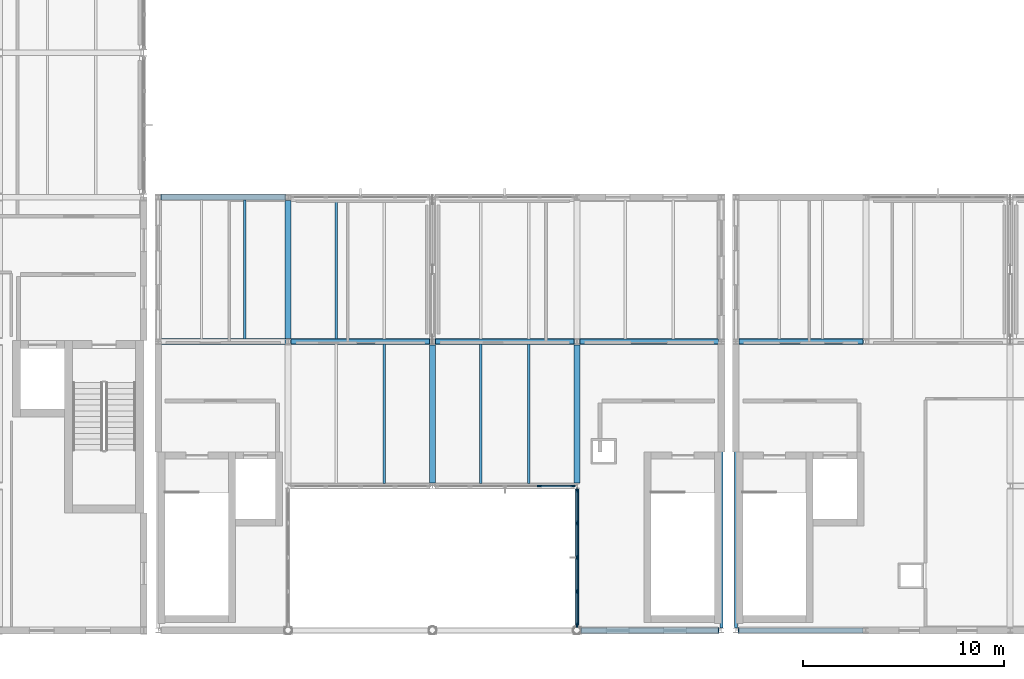
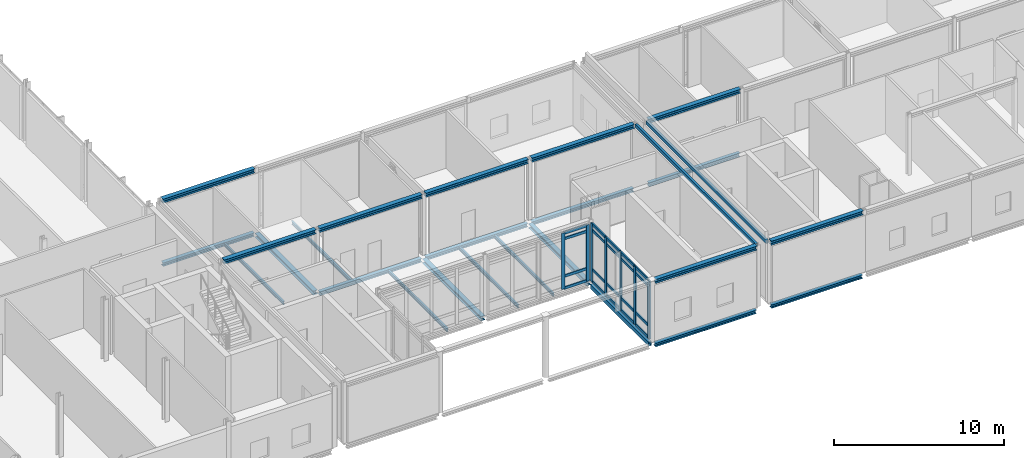
# One storey, part 10 of 43: 27 members, 26 beams, 2 elements without a shape of their own.
"""IFC4 building model written with IfcOpenShell, lengths in metres."""

import ifcopenshell
import ifcopenshell.guid

model = None  # the IFC model being written
_history = None  # IfcOwnerHistory: only IFC2X3 demands one
_inside = {}  # id of a spatial element -> (the spatial element, [elements in it])
_under = {}  # id of a project, library or spatial element -> (it, [spatial elements below it])
_declared = {}  # id of a project -> (the project, [libraries it declares])
_typed = {}  # id of a type object -> (the type object, [elements of that type])
_made_of = {}  # id of a material, layer set ... -> (it, [elements and type objects made of it])


def new_model(schema):
    """Start an empty IFC model of exactly this schema.

    Asked for "IFC4X3", IfcOpenShell would pick the latest addendum, in which some entities
    have other attributes; the version numbers below select the first issue.
    IFC2X3 requires an IfcOwnerHistory on every rooted entity: one is made here for all.
    """
    global model, _history
    if schema == "IFC4X3":
        model = ifcopenshell.file(schema_version=(4, 3, 0, 0))
    else:
        model = ifcopenshell.file(schema=schema)
    _inside.clear()
    _under.clear()
    _declared.clear()
    _typed.clear()
    _made_of.clear()
    _history = None
    if model.schema == "IFC2X3":
        org = make("IfcOrganization", Name="unknown")
        user = make(
            "IfcPersonAndOrganization",
            ThePerson=make("IfcPerson", FamilyName="unknown"),
            TheOrganization=org,
        )
        app = make(
            "IfcApplication",
            ApplicationDeveloper=org,
            Version="unknown",
            ApplicationFullName="unknown",
            ApplicationIdentifier="unknown",
        )
        _history = make(
            "IfcOwnerHistory",
            OwningUser=user,
            OwningApplication=app,
            ChangeAction="ADDED",
            CreationDate=0,
        )
    return model


def make(cls, **values):
    """One entity of the class cls with the attributes given. An attribute that is None is left unset."""
    return model.create_entity(
        cls, **{name: value for name, value in values.items() if value is not None}
    )


def rooted(cls, **values):
    """An entity with a GlobalId (a new one), such as an element, a storey or a relation."""
    return make(cls, GlobalId=ifcopenshell.guid.new(), OwnerHistory=_history, **values)


def si_unit(unit_type, name, prefix=None):
    """IfcSIUnit, for example si_unit("LENGTHUNIT", "METRE", prefix="MILLI")."""
    return make("IfcSIUnit", UnitType=unit_type, Prefix=prefix, Name=name)


def assignment(units):
    """IfcUnitAssignment: the units of a project."""
    return None if units is None else make("IfcUnitAssignment", Units=units)


def point(xyz):
    """IfcCartesianPoint."""
    return None if xyz is None else make("IfcCartesianPoint", Coordinates=xyz)


def direction(xyz):
    """IfcDirection."""
    return None if xyz is None else make("IfcDirection", DirectionRatios=xyz)


def frame(location, z_axis=None, x_axis=None):
    """IfcAxis2Placement3D, a coordinate frame: its origin and axes. An axis left out is left unset."""
    return make(
        "IfcAxis2Placement3D",
        Location=point(location),
        Axis=direction(z_axis),
        RefDirection=direction(x_axis),
    )


def frame_2d(location, x_axis=None):
    """IfcAxis2Placement2D, a coordinate frame in the plane: its origin and x axis."""
    return make(
        "IfcAxis2Placement2D", Location=point(location), RefDirection=direction(x_axis)
    )


def origin():
    """The frame at (0, 0, 0) with its axes left unset."""
    return frame((0.0, 0.0, 0.0))


def origin_2d():
    """The frame at (0, 0) in the plane with its x axis left unset."""
    return frame_2d((0.0, 0.0))


def place(relative_to, where):
    """IfcLocalPlacement: puts the frame where relative to a parent placement (None: the world)."""
    return make(
        "IfcLocalPlacement", PlacementRelTo=relative_to, RelativePlacement=where
    )


def context(
    kind, dimensions, precision=None, world=None, true_north=None, identifier=None
):
    """IfcGeometricRepresentationContext, for example the 3D "Model" context."""
    return make(
        "IfcGeometricRepresentationContext",
        ContextIdentifier=identifier,
        ContextType=kind,
        CoordinateSpaceDimension=dimensions,
        Precision=precision,
        WorldCoordinateSystem=world,
        TrueNorth=true_north,
    )


def subcontext(parent, identifier, kind, view, scale=None):
    """IfcGeometricRepresentationSubContext, for example "Body" below "Model"."""
    return make(
        "IfcGeometricRepresentationSubContext",
        ContextIdentifier=identifier,
        ContextType=kind,
        ParentContext=parent,
        TargetScale=scale,
        TargetView=view,
    )


def project(units=None, contexts=None):
    """IfcProject with its units and contexts."""
    return rooted(
        "IfcProject",
        Name="project",
        RepresentationContexts=contexts,
        UnitsInContext=assignment(units),
    )


def spatial(cls, under=None, at=None, **own):
    """A site, building, storey or space (cls), placed at a placement, below another one or the project."""
    s = rooted(cls, ObjectPlacement=at, **own)
    if under is not None:
        _under.setdefault(under.id(), (under, []))[1].append(s)
    return s


def profile(cls, at=None, kind="AREA", **sizes):
    """A parametric profile (cls). Its sizes go by their IFC names, for example OverallWidth=200.0."""
    return make(cls, ProfileType=kind, Position=at, **sizes)


def rectangle(**sizes):
    """IfcRectangleProfileDef."""
    return profile("IfcRectangleProfileDef", **sizes)


def hollow_rectangle(**sizes):
    """IfcRectangleHollowProfileDef."""
    return profile("IfcRectangleHollowProfileDef", **sizes)


def i_section(**sizes):
    """IfcIShapeProfileDef."""
    return profile("IfcIShapeProfileDef", **sizes)


def extrude(swept, where, along, depth):
    """IfcExtrudedAreaSolid: the profile swept, set in the frame where, extruded along a direction by depth."""
    return make(
        "IfcExtrudedAreaSolid",
        SweptArea=swept,
        Position=where,
        ExtrudedDirection=direction(along),
        Depth=depth,
    )


def shape(context_of_items, identifier, shape_type, items):
    """IfcShapeRepresentation: the items that make up one representation, for example the "Body"."""
    return make(
        "IfcShapeRepresentation",
        ContextOfItems=context_of_items,
        RepresentationIdentifier=identifier,
        RepresentationType=shape_type,
        Items=items,
    )


def material(Name=None, Category=None):
    """IfcMaterial."""
    return make("IfcMaterial", Name=Name, Category=Category)


def layer(
    of_material, thickness, ventilated=None, Name=None, Category=None, Priority=None
):
    """IfcMaterialLayer: one layer of a wall or slab, of a material (None: an air gap)."""
    return make(
        "IfcMaterialLayer",
        Material=of_material,
        LayerThickness=thickness,
        IsVentilated=ventilated,
        Name=Name,
        Category=Category,
        Priority=Priority,
    )


def layer_set(layers, Name=None):
    """IfcMaterialLayerSet."""
    return make("IfcMaterialLayerSet", MaterialLayers=layers, LayerSetName=Name)


def material_profile(
    of_material, cross_section, Name=None, Category=None, Priority=None
):
    """IfcMaterialProfile: a cross section and its material."""
    return make(
        "IfcMaterialProfile",
        Name=Name,
        Material=of_material,
        Profile=cross_section,
        Priority=Priority,
        Category=Category,
    )


def profile_set(profiles, Name=None, composite=None):
    """IfcMaterialProfileSet."""
    return make(
        "IfcMaterialProfileSet",
        Name=Name,
        MaterialProfiles=profiles,
        CompositeProfile=composite,
    )


def made_of(thing, what):
    """Note that an element or type object is made of a material, layer set ...; save() writes the relation."""
    if what is not None:
        _made_of.setdefault(what.id(), (what, []))[1].append(thing)
    return thing


def type_object(cls, material=None, **own):
    """A type object (cls), such as IfcWallType, which elements share."""
    return made_of(rooted(cls, **own), material)


def element(
    cls,
    number,
    at=None,
    inside=None,
    cuts=None,
    type_object=None,
    material=None,
    context=None,
    identifier="Body",
    shape_type=None,
    held_by="IfcProductDefinitionShape",
    body=None,
    shapes=None,
    **own,
):
    """One element of the class cls, such as IfcWall. Its Tag is "e" and its number.

    at: its placement. inside: the storey or other place that contains it. cuts: it is an
    opening in that element (IfcRelVoidsElement). A single representation is given by context,
    identifier, shape_type and body (its items); several are given by shapes. held_by: the class
    of the entity that holds the representations. save() writes the other relations.
    """
    e = rooted(cls, Tag="e%d" % number, ObjectPlacement=at, **own)
    if body is not None:
        shapes = [shape(context, identifier, shape_type, body)]
    if shapes is not None:
        e.Representation = make(held_by, Representations=shapes)
    if inside is not None:
        _inside.setdefault(inside.id(), (inside, []))[1].append(e)
    if cuts is not None:
        rooted(
            "IfcRelVoidsElement", RelatingBuildingElement=cuts, RelatedOpeningElement=e
        )
    if type_object is not None:
        _typed.setdefault(type_object.id(), (type_object, []))[1].append(e)
    return made_of(e, material)


def aggregate(whole, parts):
    """IfcRelAggregates: a whole, such as a stair, and the parts it consists of."""
    return rooted("IfcRelAggregates", RelatingObject=whole, RelatedObjects=parts)


def save(model, path):
    """Write the relations noted so far, then the file.

    IfcRelAggregates (storeys below a building ...), IfcRelContainedInSpatialStructure (elements
    in a storey), IfcRelDefinesByType, IfcRelAssociatesMaterial and IfcRelDeclares: one each for
    every whole, place, type object, material and project.
    """
    for whole, parts in _under.values():
        aggregate(whole, parts)
    for where, things in _inside.values():
        rooted(
            "IfcRelContainedInSpatialStructure",
            RelatedElements=things,
            RelatingStructure=where,
        )
    for kind, things in _typed.values():
        rooted("IfcRelDefinesByType", RelatedObjects=things, RelatingType=kind)
    for what, things in _made_of.values():
        rooted("IfcRelAssociatesMaterial", RelatedObjects=things, RelatingMaterial=what)
    for by, libraries in _declared.values():
        rooted("IfcRelDeclares", RelatingContext=by, RelatedDefinitions=libraries)
    model.write(path)


model = new_model("IFC4")

# Units and contexts
model_context = context("Model", 3, precision=1e-05, world=origin(), true_north=direction((0.0, 1.0)))
body_context = subcontext(model_context, "Body", "Model", "MODEL_VIEW")
ifc_project = project(units=[si_unit("LENGTHUNIT", "METRE"), si_unit("AREAUNIT", "SQUARE_METRE"), si_unit("VOLUMEUNIT", "CUBIC_METRE"), si_unit("PLANEANGLEUNIT", "RADIAN"), si_unit("MASSUNIT", "GRAM", prefix="KILO")], contexts=[model_context])

# Site, building, storey
site_placement = place(None, origin())
site = spatial("IfcSite", under=ifc_project, at=site_placement, CompositionType="ELEMENT")
building_placement = place(site_placement, origin())
building = spatial("IfcBuilding", under=site, at=building_placement, Name="Zarrinpeak Specialist Clinic", CompositionType="ELEMENT")
storey_placement = place(building_placement, frame((0.0, 0.0, 18.39990234375)))
storey = spatial("IfcBuildingStorey", under=building, at=storey_placement, Name="L04", CompositionType="ELEMENT", Elevation=18.39990234375)

# Beams
ifc_material_1 = material(Name="Steel S355", Category="steel")
ifc_material_profile_1 = material_profile(ifc_material_1, i_section(OverallWidth=0.260009765625, OverallDepth=0.25, WebThickness=0.007568359375, FlangeThickness=0.012451171875, FilletRadius=0.02392578125, at=origin_2d()), Name="HEA 260")
ifc_profile_set_1 = profile_set([ifc_material_profile_1], Name="Steel S355")
beam_type_1 = type_object("IfcBeamType", Name="BM-HEA260", PredefinedType="BEAM", material=ifc_profile_set_1)
beam_1_placement = place(storey_placement, frame((50.601318359375, 0.0, -0.324951171875), z_axis=(1.0, 0.0, 0.0), x_axis=(0.0, 1.0, 0.0)))
element("IfcBeam", 1, at=beam_1_placement, inside=storey, type_object=beam_type_1, Name="L04 Primary Floor Girder BM-L04-X1815", PredefinedType="BEAM", context=body_context, shape_type="SweptSolid", body=[
    extrude(i_section(OverallWidth=0.260009765625, OverallDepth=0.25, WebThickness=0.007568359375, FlangeThickness=0.012451171875, FilletRadius=0.02392578125, at=origin_2d()), origin(), (0.0, 0.0, 1.0), 6.8505859375),
])
beam_2_placement = place(storey_placement, frame((58.468017578125, 0.0, -0.324951171875), z_axis=(1.0, 0.0, 0.0), x_axis=(0.0, 1.0, 0.0)))
element("IfcBeam", 2, at=beam_2_placement, inside=storey, type_object=beam_type_1, Name="L04 Primary Floor Girder BM-L04-X1816", PredefinedType="BEAM", context=body_context, shape_type="SweptSolid", body=[
    extrude(i_section(OverallWidth=0.260009765625, OverallDepth=0.25, WebThickness=0.007568359375, FlangeThickness=0.012451171875, FilletRadius=0.02392578125, at=origin_2d()), origin(), (0.0, 0.0, 1.0), 6.18408203125),
])
for number, where, z_axis, x_axis, name in (
    (3, (36.14794921875, 14.39990234375, -0.324951171875), (1.0, 0.0, 0.0), (0.0, 1.0, 0.0), "L04 Primary Floor Girder BM-L04-X1828"),
    (4, (43.347900390625, 14.39990234375, -0.324951171875), (1.0, 0.0, 0.0), (0.0, 1.0, 0.0), "L04 Primary Floor Girder BM-L04-X1829"),
):
    element("IfcBeam", number, at=place(storey_placement, frame(where, z_axis=z_axis, x_axis=x_axis)), inside=storey, type_object=beam_type_1, Name=name, PredefinedType="BEAM", context=body_context, shape_type="SweptSolid", body=[
        extrude(i_section(OverallWidth=0.260009765625, OverallDepth=0.25, WebThickness=0.007568359375, FlangeThickness=0.012451171875, FilletRadius=0.02392578125, at=origin_2d()), origin(), (0.0, 0.0, 1.0), 6.904052734375),
    ])
beam_3_placement = place(storey_placement, frame((50.548095703125, 14.39990234375, -0.324951171875), z_axis=(1.0, 0.0, 0.0), x_axis=(0.0, 1.0, 0.0)))
element("IfcBeam", 5, at=beam_3_placement, inside=storey, type_object=beam_type_1, Name="L04 Primary Floor Girder BM-L04-X1830", PredefinedType="BEAM", context=body_context, shape_type="SweptSolid", body=[
    extrude(i_section(OverallWidth=0.260009765625, OverallDepth=0.25, WebThickness=0.007568359375, FlangeThickness=0.012451171875, FilletRadius=0.02392578125, at=origin_2d()), origin(), (0.0, 0.0, 1.0), 6.90380859375),
])
for number, where, z_axis, x_axis, name in (
    (6, (58.468017578125, 14.39990234375, -0.324951171875), (1.0, 0.0, 0.0), (0.0, 1.0, 0.0), "L04 Primary Floor Girder BM-L04-X1831"),
    (7, (29.66796875, 21.60009765625, -0.324951171875), (1.0, 0.0, 0.0), (0.0, 1.0, 0.0), "L04 Primary Floor Girder BM-L04-X1839"),
):
    element("IfcBeam", number, at=place(storey_placement, frame(where, z_axis=z_axis, x_axis=x_axis)), inside=storey, type_object=beam_type_1, Name=name, PredefinedType="BEAM", context=body_context, shape_type="SweptSolid", body=[
        extrude(i_section(OverallWidth=0.260009765625, OverallDepth=0.25, WebThickness=0.007568359375, FlangeThickness=0.012451171875, FilletRadius=0.02392578125, at=origin_2d()), origin(), (0.0, 0.0, 1.0), 6.18408203125),
    ])
ifc_material_profile_2 = material_profile(ifc_material_1, i_section(OverallWidth=0.300048828125, OverallDepth=0.2900390625, WebThickness=0.008544921875, FlangeThickness=0.013916015625, FilletRadius=0.027099609375, at=origin_2d()), Name="HEA 300")
ifc_profile_set_2 = profile_set([ifc_material_profile_2], Name="Steel S355")
beam_type_2 = type_object("IfcBeamType", Name="BM-HEA300", PredefinedType="BEAM", material=ifc_profile_set_2)
beam_4_placement = place(storey_placement, frame((36.0, 14.55810546875, -0.344970703125), z_axis=(0.0, 1.0, 0.0), x_axis=(-1.0, 0.0, 0.0)))
element("IfcBeam", 8, at=beam_4_placement, inside=storey, type_object=beam_type_2, Name="L04 Primary Beam BM-L04-Y1913", PredefinedType="BEAM", context=body_context, shape_type="SweptSolid", body=[
    extrude(i_section(OverallWidth=0.300048828125, OverallDepth=0.2900390625, WebThickness=0.008544921875, FlangeThickness=0.013916015625, FilletRadius=0.027099609375, at=origin_2d()), origin(), (0.0, 0.0, 1.0), 6.8837890625),
])
for number, where, z_axis, x_axis, name in (
    (9, (43.199951171875, 7.35791015625, -0.344970703125), (0.0, 1.0, 0.0), (-1.0, 0.0, 0.0), "L04 Primary Beam BM-L04-Y1916"),
    (10, (50.39990234375, 7.35791015625, -0.344970703125), (0.0, 1.0, 0.0), (-1.0, 0.0, 0.0), "L04 Primary Beam BM-L04-Y1923"),
):
    element("IfcBeam", number, at=place(storey_placement, frame(where, z_axis=z_axis, x_axis=x_axis)), inside=storey, type_object=beam_type_2, Name=name, PredefinedType="BEAM", context=body_context, shape_type="SweptSolid", body=[
        extrude(i_section(OverallWidth=0.300048828125, OverallDepth=0.2900390625, WebThickness=0.008544921875, FlangeThickness=0.013916015625, FilletRadius=0.027099609375, at=origin_2d()), origin(), (0.0, 0.0, 1.0), 6.884033203125),
    ])
beam_5_placement = place(storey_placement, frame((50.601318359375, 0.0, 4.25), z_axis=(1.0, 0.0, 0.0), x_axis=(0.0, 1.0, 0.0)))
element("IfcBeam", 11, at=beam_5_placement, inside=storey, type_object=beam_type_2, Name="L04 Gable Eave Tie Girder V2 BM-RF-EAVE-2334", PredefinedType="BEAM", context=body_context, shape_type="SweptSolid", body=[
    extrude(i_section(OverallWidth=0.300048828125, OverallDepth=0.2900390625, WebThickness=0.008544921875, FlangeThickness=0.013916015625, FilletRadius=0.027099609375, at=origin_2d()), origin(), (0.0, 0.0, 1.0), 6.880615234375),
])
beam_6_placement = place(storey_placement, frame((29.637939453125, 14.39990234375, 4.25), z_axis=(1.0, 0.0, 0.0), x_axis=(0.0, 1.0, 0.0)))
element("IfcBeam", 12, at=beam_6_placement, inside=storey, type_object=beam_type_2, Name="L04 Gable Eave Tie Girder V2 BM-RF-EAVE-2337", PredefinedType="BEAM", context=body_context, shape_type="SweptSolid", body=[
    extrude(i_section(OverallWidth=0.300048828125, OverallDepth=0.2900390625, WebThickness=0.008544921875, FlangeThickness=0.013916015625, FilletRadius=0.027099609375, at=origin_2d()), origin(), (0.0, 0.0, 1.0), 6.244140625),
])
beam_7_placement = place(storey_placement, frame((36.117919921875, 14.39990234375, 4.25), z_axis=(1.0, 0.0, 0.0), x_axis=(0.0, 1.0, 0.0)))
element("IfcBeam", 13, at=beam_7_placement, inside=storey, type_object=beam_type_2, Name="L04 Gable Eave Tie Girder V2 BM-RF-EAVE-2338", PredefinedType="BEAM", context=body_context, shape_type="SweptSolid", body=[
    extrude(i_section(OverallWidth=0.300048828125, OverallDepth=0.2900390625, WebThickness=0.008544921875, FlangeThickness=0.013916015625, FilletRadius=0.027099609375, at=origin_2d()), origin(), (0.0, 0.0, 1.0), 6.964111328125),
])
for number, where, z_axis, x_axis, name in (
    (14, (43.318115234375, 14.39990234375, 4.25), (1.0, 0.0, 0.0), (0.0, 1.0, 0.0), "L04 Gable Eave Tie Girder V2 BM-RF-EAVE-2339"),
    (15, (50.51806640625, 14.39990234375, 4.25), (1.0, 0.0, 0.0), (0.0, 1.0, 0.0), "L04 Gable Eave Tie Girder V2 BM-RF-EAVE-2340"),
):
    element("IfcBeam", number, at=place(storey_placement, frame(where, z_axis=z_axis, x_axis=x_axis)), inside=storey, type_object=beam_type_2, Name=name, PredefinedType="BEAM", context=body_context, shape_type="SweptSolid", body=[
        extrude(i_section(OverallWidth=0.300048828125, OverallDepth=0.2900390625, WebThickness=0.008544921875, FlangeThickness=0.013916015625, FilletRadius=0.027099609375, at=origin_2d()), origin(), (0.0, 0.0, 1.0), 6.9638671875),
    ])
beam_8_placement = place(storey_placement, frame((29.637939453125, 21.60009765625, 4.25), z_axis=(1.0, 0.0, 0.0), x_axis=(0.0, 1.0, 0.0)))
element("IfcBeam", 16, at=beam_8_placement, inside=storey, type_object=beam_type_2, Name="L04 Gable Eave Tie Girder V2 BM-RF-EAVE-2341", PredefinedType="BEAM", context=body_context, shape_type="SweptSolid", body=[
    extrude(i_section(OverallWidth=0.300048828125, OverallDepth=0.2900390625, WebThickness=0.008544921875, FlangeThickness=0.013916015625, FilletRadius=0.027099609375, at=origin_2d()), origin(), (0.0, 0.0, 1.0), 6.244140625),
])
for number, where, z_axis, x_axis, name in (
    (17, (58.43798828125, 0.0, 4.25), (1.0, 0.0, 0.0), (0.0, 1.0, 0.0), "L04 Gable Eave Tie Girder V4 BM-RF-EAVE-2377"),
    (18, (58.43798828125, 14.39990234375, 4.25), (1.0, 0.0, 0.0), (0.0, 1.0, 0.0), "L04 Gable Eave Tie Girder V4 BM-RF-EAVE-2382"),
):
    element("IfcBeam", number, at=place(storey_placement, frame(where, z_axis=z_axis, x_axis=x_axis)), inside=storey, type_object=beam_type_2, Name=name, PredefinedType="BEAM", context=body_context, shape_type="SweptSolid", body=[
        extrude(i_section(OverallWidth=0.300048828125, OverallDepth=0.2900390625, WebThickness=0.008544921875, FlangeThickness=0.013916015625, FilletRadius=0.027099609375, at=origin_2d()), origin(), (0.0, 0.0, 1.0), 6.243896484375),
    ])
ifc_material_profile_3 = material_profile(ifc_material_1, i_section(OverallWidth=0.1201171875, OverallDepth=0.239990234375, WebThickness=0.006103515625, FlangeThickness=0.009765625, FilletRadius=0.014892578125, at=origin_2d()), Name="IPE 240")
ifc_profile_set_3 = profile_set([ifc_material_profile_3], Name="Steel S355")
beam_type_3 = type_object("IfcBeamType", Name="BM-JST240", PredefinedType="JOIST", material=ifc_profile_set_3)
beam_9_placement = place(storey_placement, frame((33.840087890625, 14.528076171875, -0.31982421875), z_axis=(0.0, 1.0, 0.0), x_axis=(-1.0, 0.0, 0.0)))
element("IfcBeam", 19, at=beam_9_placement, inside=storey, type_object=beam_type_3, Name="L04 Composite Floor Joist JST-L04-1990", PredefinedType="JOIST", context=body_context, shape_type="SweptSolid", body=[
    extrude(i_section(OverallWidth=0.1201171875, OverallDepth=0.239990234375, WebThickness=0.006103515625, FlangeThickness=0.009765625, FilletRadius=0.014892578125, at=origin_2d()), origin(), (0.0, 0.0, 1.0), 6.94384765625),
])
beam_10_placement = place(storey_placement, frame((40.800048828125, 7.327880859375, -0.31982421875), z_axis=(0.0, 1.0, 0.0), x_axis=(-1.0, 0.0, 0.0)))
element("IfcBeam", 20, at=beam_10_placement, inside=storey, type_object=beam_type_3, Name="L04 Composite Floor Joist JST-L04-1992", PredefinedType="JOIST", context=body_context, shape_type="SweptSolid", body=[
    extrude(i_section(OverallWidth=0.1201171875, OverallDepth=0.239990234375, WebThickness=0.006103515625, FlangeThickness=0.009765625, FilletRadius=0.014892578125, at=origin_2d()), origin(), (0.0, 0.0, 1.0), 6.944091796875),
])
beam_11_placement = place(storey_placement, frame((38.39990234375, 14.528076171875, -0.31982421875), z_axis=(0.0, 1.0, 0.0), x_axis=(-1.0, 0.0, 0.0)))
element("IfcBeam", 21, at=beam_11_placement, inside=storey, type_object=beam_type_3, Name="L04 Composite Floor Joist JST-L04-1993", PredefinedType="JOIST", context=body_context, shape_type="SweptSolid", body=[
    extrude(i_section(OverallWidth=0.1201171875, OverallDepth=0.239990234375, WebThickness=0.006103515625, FlangeThickness=0.009765625, FilletRadius=0.014892578125, at=origin_2d()), origin(), (0.0, 0.0, 1.0), 6.94384765625),
])
for number, where, z_axis, x_axis, name in (
    (22, (45.60009765625, 7.327880859375, -0.31982421875), (0.0, 1.0, 0.0), (-1.0, 0.0, 0.0), "L04 Composite Floor Joist JST-L04-1995"),
    (23, (48.0, 7.327880859375, -0.31982421875), (0.0, 1.0, 0.0), (-1.0, 0.0, 0.0), "L04 Composite Floor Joist JST-L04-1996"),
):
    element("IfcBeam", number, at=place(storey_placement, frame(where, z_axis=z_axis, x_axis=x_axis)), inside=storey, type_object=beam_type_3, Name=name, PredefinedType="JOIST", context=body_context, shape_type="SweptSolid", body=[
        extrude(i_section(OverallWidth=0.1201171875, OverallDepth=0.239990234375, WebThickness=0.006103515625, FlangeThickness=0.009765625, FilletRadius=0.014892578125, at=origin_2d()), origin(), (0.0, 0.0, 1.0), 6.944091796875),
    ])
ifc_material_profile_4 = material_profile(ifc_material_1, hollow_rectangle(XDim=0.14990234375, YDim=0.25, WallThickness=0.010009765625, at=origin_2d()), Name="RHS 250x150x10.0")
ifc_profile_set_4 = profile_set([ifc_material_profile_4], Name="Steel S355")
beam_type_4 = type_object("IfcBeamType", Name="BM-SP250", PredefinedType="SPANDREL", material=ifc_profile_set_4)
for number, where, z_axis, x_axis, name in (
    (24, (57.60009765625, 0.117919921875, 4.25), (0.0, 1.0, 0.0), (-1.0, 0.0, 0.0), "L04 Gable Eave Spandrel Beam V2 BM-RF-SP-2347"),
    (25, (58.320068359375, 0.117919921875, 4.25), (0.0, 1.0, 0.0), (-1.0, 0.0, 0.0), "L04 Gable Eave Spandrel Beam V4 BM-RF-SP-2390"),
):
    element("IfcBeam", number, at=place(storey_placement, frame(where, z_axis=z_axis, x_axis=x_axis)), inside=storey, type_object=beam_type_4, Name=name, PredefinedType="SPANDREL", context=body_context, shape_type="SweptSolid", body=[
        extrude(hollow_rectangle(XDim=0.14990234375, YDim=0.25, WallThickness=0.010009765625, at=origin_2d()), origin(), (0.0, 0.0, 1.0), 14.1640625),
    ])
ifc_material_profile_5 = material_profile(ifc_material_1, hollow_rectangle(XDim=0.199951171875, YDim=0.300048828125, WallThickness=0.012451171875, at=origin_2d()), Name="RHS 300x200x12.5")
ifc_profile_set_5 = profile_set([ifc_material_profile_5], Name="Steel S355")
beam_type_5 = type_object("IfcBeamType", Name="BM-SP300", PredefinedType="SPANDREL", material=ifc_profile_set_5)
beam_12_placement = place(storey_placement, frame((50.39990234375, 0.201171875, -0.349853515625), z_axis=(0.0, 1.0, 0.0), x_axis=(-1.0, 0.0, 0.0)))
element("IfcBeam", 26, at=beam_12_placement, inside=storey, type_object=beam_type_5, Name="L04 Perimeter Spandrel Beam BM-L04-Y1922", PredefinedType="SPANDREL", context=body_context, shape_type="SweptSolid", body=[
    extrude(hollow_rectangle(XDim=0.199951171875, YDim=0.300048828125, WallThickness=0.012451171875, at=origin_2d()), origin(), (0.0, 0.0, 1.0), 6.8408203125),
])

# Curtain wall, members
ifc_material_2 = material(Name="Anodised Aluminium Alloy 6063-T6", Category="aluminium")
ifc_layer = layer(ifc_material_2, 0.18994140625)
ifc_layer_set = layer_set([ifc_layer], Name="Anodised Aluminium Alloy 6063-T6")
curtain_wall_type = type_object("IfcCurtainWallType", Name="CW-LOGGIA", PredefinedType="NOTDEFINED", material=ifc_layer_set)
curtain_wall_1_placement = place(storey_placement, origin())
curtain_wall_1 = element("IfcCurtainWall", 27, at=curtain_wall_1_placement, inside=storey, type_object=curtain_wall_type, Name="L04 V2 Unitised Curtain Wall CW-L04-V2-064", PredefinedType="NOTDEFINED")
ifc_material_profile_6 = material_profile(ifc_material_2, rectangle(XDim=0.090087890625, YDim=0.219970703125, at=origin_2d()), Name="ALU 90x220")
ifc_profile_set_6 = profile_set([ifc_material_profile_6], Name="Anodised Aluminium Alloy 6063-T6")
member_type_1 = type_object("IfcMemberType", Name="CWM-90", PredefinedType="MULLION", material=ifc_profile_set_6)
member_1_placement = place(storey_placement, frame((48.527587890625, 7.199951171875, 0.0), z_axis=(0.0, 0.0, 1.0), x_axis=(0.0, 1.0, 0.0)))
member_1 = element("IfcMember", 28, at=member_1_placement, type_object=member_type_1, Name="CW-04 mullion 4", PredefinedType="MULLION", context=body_context, shape_type="SweptSolid", body=[
    extrude(rectangle(XDim=0.090087890625, YDim=0.219970703125, at=origin_2d()), origin(), (0.0, 0.0, 1.0), 4.03515625),
])
member_2_placement = place(storey_placement, frame((50.2099609375, 7.199951171875, 0.0), z_axis=(0.0, 0.0, 1.0), x_axis=(0.0, 1.0, 0.0)))
member_2 = element("IfcMember", 29, at=member_2_placement, type_object=member_type_1, Name="CW-04 mullion 5", PredefinedType="MULLION", context=body_context, shape_type="SweptSolid", body=[
    extrude(rectangle(XDim=0.090087890625, YDim=0.219970703125, at=origin_2d()), origin(), (0.0, 0.0, 1.0), 4.03515625),
])

curtain_wall_2_placement = place(storey_placement, origin())
curtain_wall_2 = element("IfcCurtainWall", 30, at=curtain_wall_2_placement, inside=storey, type_object=curtain_wall_type, Name="L04 V2 Unitised Curtain Wall CW-L04-V2-066", PredefinedType="NOTDEFINED")
member_3_placement = place(storey_placement, frame((50.39990234375, 7.010009765625, 0.0), z_axis=(0.0, 0.0, 1.0), x_axis=(1.0, 0.0, 0.0)))
member_3 = element("IfcMember", 31, at=member_3_placement, type_object=member_type_1, Name="CW-04 mullion 1", PredefinedType="MULLION", context=body_context, shape_type="SweptSolid", body=[
    extrude(rectangle(XDim=0.090087890625, YDim=0.219970703125, at=origin_2d()), origin(), (0.0, 0.0, 1.0), 4.18017578125),
])
member_4_placement = place(storey_placement, frame((50.39990234375, 5.348388671875, 0.0), z_axis=(0.0, 0.0, 1.0), x_axis=(1.0, 0.0, 0.0)))
member_4 = element("IfcMember", 32, at=member_4_placement, type_object=member_type_1, Name="CW-04 mullion 2", PredefinedType="MULLION", context=body_context, shape_type="SweptSolid", body=[
    extrude(rectangle(XDim=0.090087890625, YDim=0.219970703125, at=origin_2d()), origin(), (0.0, 0.0, 1.0), 4.18017578125),
])
member_5_placement = place(storey_placement, frame((50.39990234375, 3.6416015625, 0.0), z_axis=(0.0, 0.0, 1.0), x_axis=(1.0, 0.0, 0.0)))
member_5 = element("IfcMember", 33, at=member_5_placement, type_object=member_type_1, Name="CW-04 mullion 3", PredefinedType="MULLION", context=body_context, shape_type="SweptSolid", body=[
    extrude(rectangle(XDim=0.090087890625, YDim=0.219970703125, at=origin_2d()), origin(), (0.0, 0.0, 1.0), 4.18017578125),
])
member_6_placement = place(storey_placement, frame((50.39990234375, 1.934814453125, 0.0), z_axis=(0.0, 0.0, 1.0), x_axis=(1.0, 0.0, 0.0)))
member_6 = element("IfcMember", 34, at=member_6_placement, type_object=member_type_1, Name="CW-04 mullion 4", PredefinedType="MULLION", context=body_context, shape_type="SweptSolid", body=[
    extrude(rectangle(XDim=0.090087890625, YDim=0.219970703125, at=origin_2d()), origin(), (0.0, 0.0, 1.0), 4.18017578125),
])
member_7_placement = place(storey_placement, frame((50.39990234375, 0.273193359375, 0.0), z_axis=(0.0, 0.0, 1.0), x_axis=(1.0, 0.0, 0.0)))
member_7 = element("IfcMember", 35, at=member_7_placement, type_object=member_type_1, Name="CW-04 mullion 5", PredefinedType="MULLION", context=body_context, shape_type="SweptSolid", body=[
    extrude(rectangle(XDim=0.090087890625, YDim=0.219970703125, at=origin_2d()), origin(), (0.0, 0.0, 1.0), 4.18017578125),
])

# Member
ifc_material_profile_7 = material_profile(ifc_material_2, rectangle(XDim=0.090087890625, YDim=0.18994140625, at=origin_2d()), Name="ALU 90x190")
ifc_profile_set_7 = profile_set([ifc_material_profile_7], Name="Anodised Aluminium Alloy 6063-T6")
member_type_2 = type_object("IfcMemberType", Name="CWT-90", PredefinedType="USERDEFINED", material=ifc_profile_set_7)
member_8_placement = place(storey_placement, frame((48.572509765625, 7.199951171875, 0.045166015625), z_axis=(1.0, 0.0, 0.0), x_axis=(0.0, 1.0, 0.0)))
member_8 = element("IfcMember", 36, at=member_8_placement, type_object=member_type_2, Name="CW-04 transom 4.1", ObjectType="TRANSOM", PredefinedType="USERDEFINED", context=body_context, shape_type="SweptSolid", body=[
    extrude(rectangle(XDim=0.090087890625, YDim=0.18994140625, at=origin_2d()), origin(), (0.0, 0.0, 1.0), 1.592529296875),
])

member_9_placement = place(storey_placement, frame((48.572509765625, 7.199951171875, 0.900146484375), z_axis=(1.0, 0.0, 0.0), x_axis=(0.0, 1.0, 0.0)))
member_9 = element("IfcMember", 37, at=member_9_placement, type_object=member_type_2, Name="CW-04 transom 4.2", ObjectType="TRANSOM", PredefinedType="USERDEFINED", context=body_context, shape_type="SweptSolid", body=[
    extrude(rectangle(XDim=0.090087890625, YDim=0.18994140625, at=origin_2d()), origin(), (0.0, 0.0, 1.0), 1.592529296875),
])

member_10_placement = place(storey_placement, frame((48.572509765625, 7.199951171875, 3.585205078125), z_axis=(1.0, 0.0, 0.0), x_axis=(0.0, 1.0, 0.0)))
member_10 = element("IfcMember", 38, at=member_10_placement, type_object=member_type_2, Name="CW-04 transom 4.3", ObjectType="TRANSOM", PredefinedType="USERDEFINED", context=body_context, shape_type="SweptSolid", body=[
    extrude(rectangle(XDim=0.090087890625, YDim=0.18994140625, at=origin_2d()), origin(), (0.0, 0.0, 1.0), 1.592529296875),
])

member_11_placement = place(storey_placement, frame((48.572509765625, 7.199951171875, 3.989990234375), z_axis=(1.0, 0.0, 0.0), x_axis=(0.0, 1.0, 0.0)))
member_11 = element("IfcMember", 39, at=member_11_placement, type_object=member_type_2, Name="CW-04 transom 4.4", ObjectType="TRANSOM", PredefinedType="USERDEFINED", context=body_context, shape_type="SweptSolid", body=[
    extrude(rectangle(XDim=0.090087890625, YDim=0.18994140625, at=origin_2d()), origin(), (0.0, 0.0, 1.0), 1.592529296875),
])

aggregate(curtain_wall_1, [member_1, member_2, member_8, member_9, member_10, member_11])

member_12_placement = place(storey_placement, frame((50.39990234375, 6.965087890625, 0.045166015625), z_axis=(0.0, -1.0, 0.0), x_axis=(1.0, 0.0, 0.0)))
member_12 = element("IfcMember", 40, at=member_12_placement, type_object=member_type_2, Name="CW-04 transom 1.1", ObjectType="TRANSOM", PredefinedType="USERDEFINED", context=body_context, shape_type="SweptSolid", body=[
    extrude(rectangle(XDim=0.090087890625, YDim=0.18994140625, at=origin_2d()), origin(), (0.0, 0.0, 1.0), 1.57177734375),
])

member_13_placement = place(storey_placement, frame((50.39990234375, 6.965087890625, 0.900146484375), z_axis=(0.0, -1.0, 0.0), x_axis=(1.0, 0.0, 0.0)))
member_13 = element("IfcMember", 41, at=member_13_placement, type_object=member_type_2, Name="CW-04 transom 1.2", ObjectType="TRANSOM", PredefinedType="USERDEFINED", context=body_context, shape_type="SweptSolid", body=[
    extrude(rectangle(XDim=0.090087890625, YDim=0.18994140625, at=origin_2d()), origin(), (0.0, 0.0, 1.0), 1.57177734375),
])

member_14_placement = place(storey_placement, frame((50.39990234375, 6.965087890625, 3.72998046875), z_axis=(0.0, -1.0, 0.0), x_axis=(1.0, 0.0, 0.0)))
member_14 = element("IfcMember", 42, at=member_14_placement, type_object=member_type_2, Name="CW-04 transom 1.3", ObjectType="TRANSOM", PredefinedType="USERDEFINED", context=body_context, shape_type="SweptSolid", body=[
    extrude(rectangle(XDim=0.090087890625, YDim=0.18994140625, at=origin_2d()), origin(), (0.0, 0.0, 1.0), 1.57177734375),
])

member_15_placement = place(storey_placement, frame((50.39990234375, 6.965087890625, 4.135009765625), z_axis=(0.0, -1.0, 0.0), x_axis=(1.0, 0.0, 0.0)))
member_15 = element("IfcMember", 43, at=member_15_placement, type_object=member_type_2, Name="CW-04 transom 1.4", ObjectType="TRANSOM", PredefinedType="USERDEFINED", context=body_context, shape_type="SweptSolid", body=[
    extrude(rectangle(XDim=0.090087890625, YDim=0.18994140625, at=origin_2d()), origin(), (0.0, 0.0, 1.0), 1.57177734375),
])

member_16_placement = place(storey_placement, frame((50.39990234375, 5.30322265625, 0.045166015625), z_axis=(0.0, -1.0, 0.0), x_axis=(1.0, 0.0, 0.0)))
member_16 = element("IfcMember", 44, at=member_16_placement, type_object=member_type_2, Name="CW-04 transom 2.1", ObjectType="TRANSOM", PredefinedType="USERDEFINED", context=body_context, shape_type="SweptSolid", body=[
    extrude(rectangle(XDim=0.090087890625, YDim=0.18994140625, at=origin_2d()), origin(), (0.0, 0.0, 1.0), 1.61669921875),
])

member_17_placement = place(storey_placement, frame((50.39990234375, 5.30322265625, 0.900146484375), z_axis=(0.0, -1.0, 0.0), x_axis=(1.0, 0.0, 0.0)))
member_17 = element("IfcMember", 45, at=member_17_placement, type_object=member_type_2, Name="CW-04 transom 2.2", ObjectType="TRANSOM", PredefinedType="USERDEFINED", context=body_context, shape_type="SweptSolid", body=[
    extrude(rectangle(XDim=0.090087890625, YDim=0.18994140625, at=origin_2d()), origin(), (0.0, 0.0, 1.0), 1.61669921875),
])

member_18_placement = place(storey_placement, frame((50.39990234375, 5.30322265625, 3.72998046875), z_axis=(0.0, -1.0, 0.0), x_axis=(1.0, 0.0, 0.0)))
member_18 = element("IfcMember", 46, at=member_18_placement, type_object=member_type_2, Name="CW-04 transom 2.3", ObjectType="TRANSOM", PredefinedType="USERDEFINED", context=body_context, shape_type="SweptSolid", body=[
    extrude(rectangle(XDim=0.090087890625, YDim=0.18994140625, at=origin_2d()), origin(), (0.0, 0.0, 1.0), 1.61669921875),
])

member_19_placement = place(storey_placement, frame((50.39990234375, 5.30322265625, 4.135009765625), z_axis=(0.0, -1.0, 0.0), x_axis=(1.0, 0.0, 0.0)))
member_19 = element("IfcMember", 47, at=member_19_placement, type_object=member_type_2, Name="CW-04 transom 2.4", ObjectType="TRANSOM", PredefinedType="USERDEFINED", context=body_context, shape_type="SweptSolid", body=[
    extrude(rectangle(XDim=0.090087890625, YDim=0.18994140625, at=origin_2d()), origin(), (0.0, 0.0, 1.0), 1.61669921875),
])

member_20_placement = place(storey_placement, frame((50.39990234375, 3.5966796875, 0.045166015625), z_axis=(0.0, -1.0, 0.0), x_axis=(1.0, 0.0, 0.0)))
member_20 = element("IfcMember", 48, at=member_20_placement, type_object=member_type_2, Name="CW-04 transom 3.1", ObjectType="TRANSOM", PredefinedType="USERDEFINED", context=body_context, shape_type="SweptSolid", body=[
    extrude(rectangle(XDim=0.090087890625, YDim=0.18994140625, at=origin_2d()), origin(), (0.0, 0.0, 1.0), 1.61669921875),
])

member_21_placement = place(storey_placement, frame((50.39990234375, 3.5966796875, 0.900146484375), z_axis=(0.0, -1.0, 0.0), x_axis=(1.0, 0.0, 0.0)))
member_21 = element("IfcMember", 49, at=member_21_placement, type_object=member_type_2, Name="CW-04 transom 3.2", ObjectType="TRANSOM", PredefinedType="USERDEFINED", context=body_context, shape_type="SweptSolid", body=[
    extrude(rectangle(XDim=0.090087890625, YDim=0.18994140625, at=origin_2d()), origin(), (0.0, 0.0, 1.0), 1.61669921875),
])

member_22_placement = place(storey_placement, frame((50.39990234375, 3.5966796875, 3.72998046875), z_axis=(0.0, -1.0, 0.0), x_axis=(1.0, 0.0, 0.0)))
member_22 = element("IfcMember", 50, at=member_22_placement, type_object=member_type_2, Name="CW-04 transom 3.3", ObjectType="TRANSOM", PredefinedType="USERDEFINED", context=body_context, shape_type="SweptSolid", body=[
    extrude(rectangle(XDim=0.090087890625, YDim=0.18994140625, at=origin_2d()), origin(), (0.0, 0.0, 1.0), 1.61669921875),
])

member_23_placement = place(storey_placement, frame((50.39990234375, 3.5966796875, 4.135009765625), z_axis=(0.0, -1.0, 0.0), x_axis=(1.0, 0.0, 0.0)))
member_23 = element("IfcMember", 51, at=member_23_placement, type_object=member_type_2, Name="CW-04 transom 3.4", ObjectType="TRANSOM", PredefinedType="USERDEFINED", context=body_context, shape_type="SweptSolid", body=[
    extrude(rectangle(XDim=0.090087890625, YDim=0.18994140625, at=origin_2d()), origin(), (0.0, 0.0, 1.0), 1.61669921875),
])

member_24_placement = place(storey_placement, frame((50.39990234375, 1.889892578125, 0.045166015625), z_axis=(0.0, -1.0, 0.0), x_axis=(1.0, 0.0, 0.0)))
member_24 = element("IfcMember", 52, at=member_24_placement, type_object=member_type_2, Name="CW-04 transom 4.1", ObjectType="TRANSOM", PredefinedType="USERDEFINED", context=body_context, shape_type="SweptSolid", body=[
    extrude(rectangle(XDim=0.090087890625, YDim=0.18994140625, at=origin_2d()), origin(), (0.0, 0.0, 1.0), 1.57177734375),
])

member_25_placement = place(storey_placement, frame((50.39990234375, 1.889892578125, 0.900146484375), z_axis=(0.0, -1.0, 0.0), x_axis=(1.0, 0.0, 0.0)))
member_25 = element("IfcMember", 53, at=member_25_placement, type_object=member_type_2, Name="CW-04 transom 4.2", ObjectType="TRANSOM", PredefinedType="USERDEFINED", context=body_context, shape_type="SweptSolid", body=[
    extrude(rectangle(XDim=0.090087890625, YDim=0.18994140625, at=origin_2d()), origin(), (0.0, 0.0, 1.0), 1.57177734375),
])

member_26_placement = place(storey_placement, frame((50.39990234375, 1.889892578125, 3.72998046875), z_axis=(0.0, -1.0, 0.0), x_axis=(1.0, 0.0, 0.0)))
member_26 = element("IfcMember", 54, at=member_26_placement, type_object=member_type_2, Name="CW-04 transom 4.3", ObjectType="TRANSOM", PredefinedType="USERDEFINED", context=body_context, shape_type="SweptSolid", body=[
    extrude(rectangle(XDim=0.090087890625, YDim=0.18994140625, at=origin_2d()), origin(), (0.0, 0.0, 1.0), 1.57177734375),
])

member_27_placement = place(storey_placement, frame((50.39990234375, 1.889892578125, 4.135009765625), z_axis=(0.0, -1.0, 0.0), x_axis=(1.0, 0.0, 0.0)))
member_27 = element("IfcMember", 55, at=member_27_placement, type_object=member_type_2, Name="CW-04 transom 4.4", ObjectType="TRANSOM", PredefinedType="USERDEFINED", context=body_context, shape_type="SweptSolid", body=[
    extrude(rectangle(XDim=0.090087890625, YDim=0.18994140625, at=origin_2d()), origin(), (0.0, 0.0, 1.0), 1.57177734375),
])

aggregate(curtain_wall_2, [member_3, member_4, member_5, member_6, member_7, member_12, member_13, member_14, member_15, member_16, member_17, member_18, member_19, member_20, member_21, member_22, member_23, member_24, member_25, member_26, member_27])

save(model, "model.ifc")
